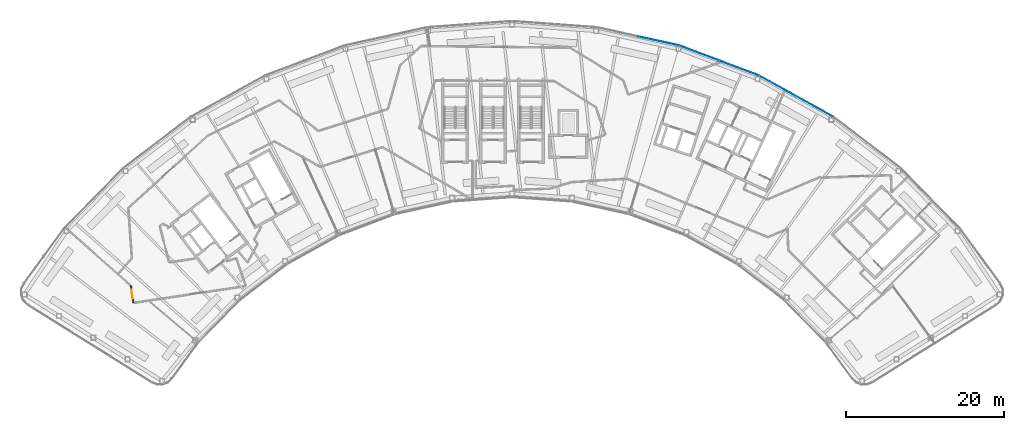
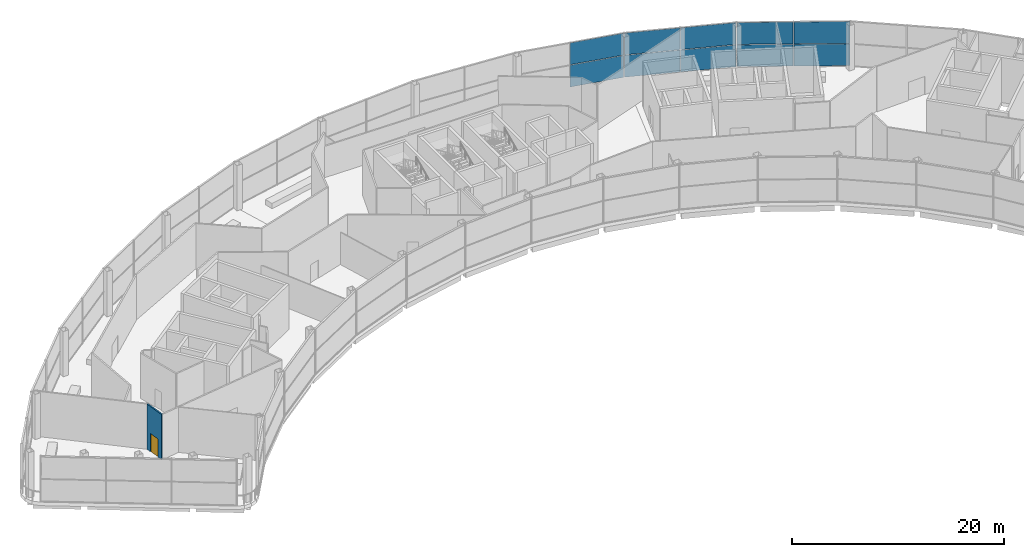
# One storey, part 36 of 44: 10 plates, 1 door, 1 wall, 1 opening, 3 elements without a shape of their own.
"""IFC4 building model written with IfcOpenShell, lengths in metres."""

from ifc_helpers import new_model, si_unit, direction, frame, frame_2d, origin, origin_2d, place, context, subcontext, project, spatial, rectangle, extrude, material, layer, layer_set, type_object, element, fill, aggregate, save


model = new_model("IFC4")

# Units and contexts
model_context = context("Model", 3, precision=1e-05, world=origin(), true_north=direction((0.0, 1.0)))
body_context = subcontext(model_context, "Body", "Model", "MODEL_VIEW")
ifc_project = project(units=[si_unit("LENGTHUNIT", "METRE"), si_unit("AREAUNIT", "SQUARE_METRE"), si_unit("VOLUMEUNIT", "CUBIC_METRE"), si_unit("PLANEANGLEUNIT", "RADIAN"), si_unit("MASSUNIT", "GRAM", prefix="KILO")], contexts=[model_context])

# Site, building, storey
site_placement = place(None, origin())
site = spatial("IfcSite", under=ifc_project, at=site_placement, CompositionType="ELEMENT")
building_placement = place(site_placement, origin())
building = spatial("IfcBuilding", under=site, at=building_placement, Name="Tuul Gate Civic Tower", CompositionType="ELEMENT")
storey_placement = place(building_placement, frame((0.0, 0.0, 354.60009765625)))
storey = spatial("IfcBuildingStorey", under=building, at=storey_placement, Name="Observation level 2", CompositionType="ELEMENT", Elevation=354.60009765625)

# Curtain wall, plates
ifc_material_1 = material(Name="Stainless steel", Category="steel")
ifc_layer_1 = layer(ifc_material_1, 0.199951171875)
ifc_layer_set_1 = layer_set([ifc_layer_1], Name="Stainless steel")
curtain_wall_type = type_object("IfcCurtainWallType", Name="Curtain wall CW4", PredefinedType="NOTDEFINED", material=ifc_layer_set_1)
curtain_wall_1_placement = place(storey_placement, origin())
curtain_wall_1 = element("IfcCurtainWall", 1, at=curtain_wall_1_placement, inside=storey, type_object=curtain_wall_type, Name="Curtain wall CW4", PredefinedType="NOTDEFINED")
ifc_material_2 = material(Name="Laminated glass", Category="glass")
ifc_layer_2 = layer(ifc_material_2, 0.0400390625)
ifc_layer_set_2 = layer_set([ifc_layer_2], Name="Laminated glass")
plate_type = type_object("IfcPlateType", Name="CW4 panel", PredefinedType="CURTAIN_PANEL", material=ifc_layer_set_2)
plate_1_placement = place(storey_placement, frame((40.478759765625, 3.4921875, 0.06005859375), z_axis=(0.0, 0.0, 1.0), x_axis=(-0.874631068374, 0.48478912347, 0.0)))
plate_1 = element("IfcPlate", 2, at=plate_1_placement, type_object=plate_type, Name="Panel", PredefinedType="CURTAIN_PANEL", context=body_context, shape_type="SweptSolid", body=[
    extrude(rectangle(XDim=5.281494140625, YDim=0.0400390625, at=origin_2d()), origin(), (0.0, 0.0, 1.0), 2.510009765625),
])
plate_2_placement = place(storey_placement, frame((40.478759765625, 3.4921875, 2.6298828125), z_axis=(0.0, 0.0, 1.0), x_axis=(-0.874631068374, 0.48478912347, 0.0)))
plate_2 = element("IfcPlate", 3, at=plate_2_placement, type_object=plate_type, Name="Panel", PredefinedType="CURTAIN_PANEL", context=body_context, shape_type="SweptSolid", body=[
    extrude(rectangle(XDim=5.281494140625, YDim=0.0400390625, at=origin_2d()), origin(), (0.0, 0.0, 1.0), 2.510009765625),
])
plate_3_placement = place(storey_placement, frame((35.80712890625, 6.081787109375, 0.06005859375), z_axis=(0.0, 0.0, 1.0), x_axis=(-0.874631068374, 0.48478912347, 0.0)))
plate_3 = element("IfcPlate", 4, at=plate_3_placement, type_object=plate_type, Name="Panel", PredefinedType="CURTAIN_PANEL", context=body_context, shape_type="SweptSolid", body=[
    extrude(rectangle(XDim=5.281494140625, YDim=0.0400390625, at=origin_2d()), origin(), (0.0, 0.0, 1.0), 2.510009765625),
])
plate_4_placement = place(storey_placement, frame((35.80712890625, 6.081787109375, 2.6298828125), z_axis=(0.0, 0.0, 1.0), x_axis=(-0.874631068374, 0.48478912347, 0.0)))
plate_4 = element("IfcPlate", 5, at=plate_4_placement, type_object=plate_type, Name="Panel", PredefinedType="CURTAIN_PANEL", context=body_context, shape_type="SweptSolid", body=[
    extrude(rectangle(XDim=5.281494140625, YDim=0.0400390625, at=origin_2d()), origin(), (0.0, 0.0, 1.0), 2.510009765625),
])
aggregate(curtain_wall_1, [plate_1, plate_2, plate_3, plate_4])

curtain_wall_2_placement = place(storey_placement, origin())
curtain_wall_2 = element("IfcCurtainWall", 6, at=curtain_wall_2_placement, inside=storey, type_object=curtain_wall_type, Name="Curtain wall CW4", PredefinedType="NOTDEFINED")
plate_5_placement = place(storey_placement, frame((30.9189453125, 8.34619140625, 0.06005859375), z_axis=(0.0, 0.0, 1.0), x_axis=(-0.935346200905, 0.35373363489, 0.0)))
plate_5 = element("IfcPlate", 7, at=plate_5_placement, type_object=plate_type, Name="Panel", PredefinedType="CURTAIN_PANEL", context=body_context, shape_type="SweptSolid", body=[
    extrude(rectangle(XDim=5.28125, YDim=0.0400390625, at=origin_2d()), origin(), (0.0, 0.0, 1.0), 2.510009765625),
])
plate_6_placement = place(storey_placement, frame((30.9189453125, 8.34619140625, 2.6298828125), z_axis=(0.0, 0.0, 1.0), x_axis=(-0.935346200905, 0.35373363489, 0.0)))
plate_6 = element("IfcPlate", 8, at=plate_6_placement, type_object=plate_type, Name="Panel", PredefinedType="CURTAIN_PANEL", context=body_context, shape_type="SweptSolid", body=[
    extrude(rectangle(XDim=5.28125, YDim=0.0400390625, at=origin_2d()), origin(), (0.0, 0.0, 1.0), 2.510009765625),
])
plate_7_placement = place(storey_placement, frame((25.923095703125, 10.235595703125, 0.06005859375), z_axis=(0.0, 0.0, 1.0), x_axis=(-0.935346200905, 0.35373363489, 0.0)))
plate_7 = element("IfcPlate", 9, at=plate_7_placement, type_object=plate_type, Name="Panel", PredefinedType="CURTAIN_PANEL", context=body_context, shape_type="SweptSolid", body=[
    extrude(rectangle(XDim=5.28125, YDim=0.0400390625, at=origin_2d()), origin(), (0.0, 0.0, 1.0), 2.510009765625),
])
plate_8_placement = place(storey_placement, frame((25.923095703125, 10.235595703125, 2.6298828125), z_axis=(0.0, 0.0, 1.0), x_axis=(-0.935346200905, 0.35373363489, 0.0)))
plate_8 = element("IfcPlate", 10, at=plate_8_placement, type_object=plate_type, Name="Panel", PredefinedType="CURTAIN_PANEL", context=body_context, shape_type="SweptSolid", body=[
    extrude(rectangle(XDim=5.28125, YDim=0.0400390625, at=origin_2d()), origin(), (0.0, 0.0, 1.0), 2.510009765625),
])
aggregate(curtain_wall_2, [plate_5, plate_6, plate_7, plate_8])

curtain_wall_3_placement = place(storey_placement, origin())
curtain_wall_3 = element("IfcCurtainWall", 11, at=curtain_wall_3_placement, inside=storey, type_object=curtain_wall_type, Name="Curtain wall CW4", PredefinedType="NOTDEFINED")
plate_9_placement = place(storey_placement, frame((20.759521484375, 11.772216796875, 0.06005859375), z_axis=(0.0, 0.0, 1.0), x_axis=(-0.976566659334, 0.215215147882, 0.0)))
plate_9 = element("IfcPlate", 12, at=plate_9_placement, type_object=plate_type, Name="Panel", PredefinedType="CURTAIN_PANEL", context=body_context, shape_type="SweptSolid", body=[
    extrude(rectangle(XDim=5.28125, YDim=0.0400390625, at=origin_2d()), origin(), (0.0, 0.0, 1.0), 2.510009765625),
])
plate_10_placement = place(storey_placement, frame((20.759521484375, 11.772216796875, 2.6298828125), z_axis=(0.0, 0.0, 1.0), x_axis=(-0.976566659334, 0.215215147882, 0.0)))
plate_10 = element("IfcPlate", 13, at=plate_10_placement, type_object=plate_type, Name="Panel", PredefinedType="CURTAIN_PANEL", context=body_context, shape_type="SweptSolid", body=[
    extrude(rectangle(XDim=5.28125, YDim=0.0400390625, at=origin_2d()), origin(), (0.0, 0.0, 1.0), 2.510009765625),
])
aggregate(curtain_wall_3, [plate_9, plate_10])

# Wall, opening, door
ifc_material_3 = material(Name="Gypsum board partition")
ifc_layer_3 = layer(ifc_material_3, 0.14990234375)
ifc_layer_set_3 = layer_set([ifc_layer_3], Name="Gypsum board partition")
wall_type = type_object("IfcWallType", Name="Corridor wall P150", PredefinedType="PARTITIONING", material=ifc_layer_set_3)
wall_placement = place(storey_placement, frame((-46.033203125, -19.199951171875, 0.0), z_axis=(0.0, 0.0, 1.0), x_axis=(0.147828372382, -0.989013029398, 0.0)))
wall = element("IfcWall", 14, at=wall_placement, inside=storey, type_object=wall_type, Name="p033", PredefinedType="PARTITIONING", context=body_context, shape_type="SweptSolid", body=[
    extrude(rectangle(XDim=2.191650390625, YDim=0.14990234375, at=frame_2d((1.095703125, 0.0))), origin(), (0.0, 0.0, 1.0), 5.199951171875),
])
opening_placement = place(wall_placement, frame((0.545654296875, 0.0, 0.0)))
opening = element("IfcOpeningElement", 15, at=opening_placement, cuts=wall, Name="Opening AE-D05", PredefinedType="OPENING", context=body_context, shape_type="SweptSolid", body=[
    extrude(rectangle(XDim=1.10009765625, YDim=2.10009765625, at=frame_2d((0.550048828125, 1.050048828125))), frame((0.0, 0.0849609375, 0.0), z_axis=(0.0, -1.0, 0.0), x_axis=(1.0, 0.0, 0.0)), (0.0, 0.0, 1.0), 0.169921875),
])
ifc_material_4 = material(Name="Timber door leaf", Category="wood")
door_type = type_object("IfcDoorType", Name="Door D11", OperationType="NOTDEFINED", PredefinedType="DOOR", material=ifc_material_4)
door_placement = place(opening_placement, frame((1.10009765625, 0.0, 0.0), z_axis=(0.0, 0.0, 1.0), x_axis=(-1.0, 0.0, 0.0)))
door = element("IfcDoor", 16, at=door_placement, inside=storey, type_object=door_type, Name="Door AE-D05", OperationType="SINGLE_SWING_RIGHT", OverallHeight=2.10009765625, OverallWidth=1.10009765625, PredefinedType="DOOR", context=body_context, shape_type="SweptSolid", body=[
    extrude(rectangle(XDim=1.10009765625, YDim=2.10009765625, at=frame_2d((0.550048828125, 1.050048828125))), frame((0.0, 0.02490234375, 0.0), z_axis=(0.0, -1.0, 0.0), x_axis=(1.0, 0.0, 0.0)), (0.0, 0.0, 1.0), 0.050048828125),
])
fill(opening, door)

save(model, "model.ifc")
